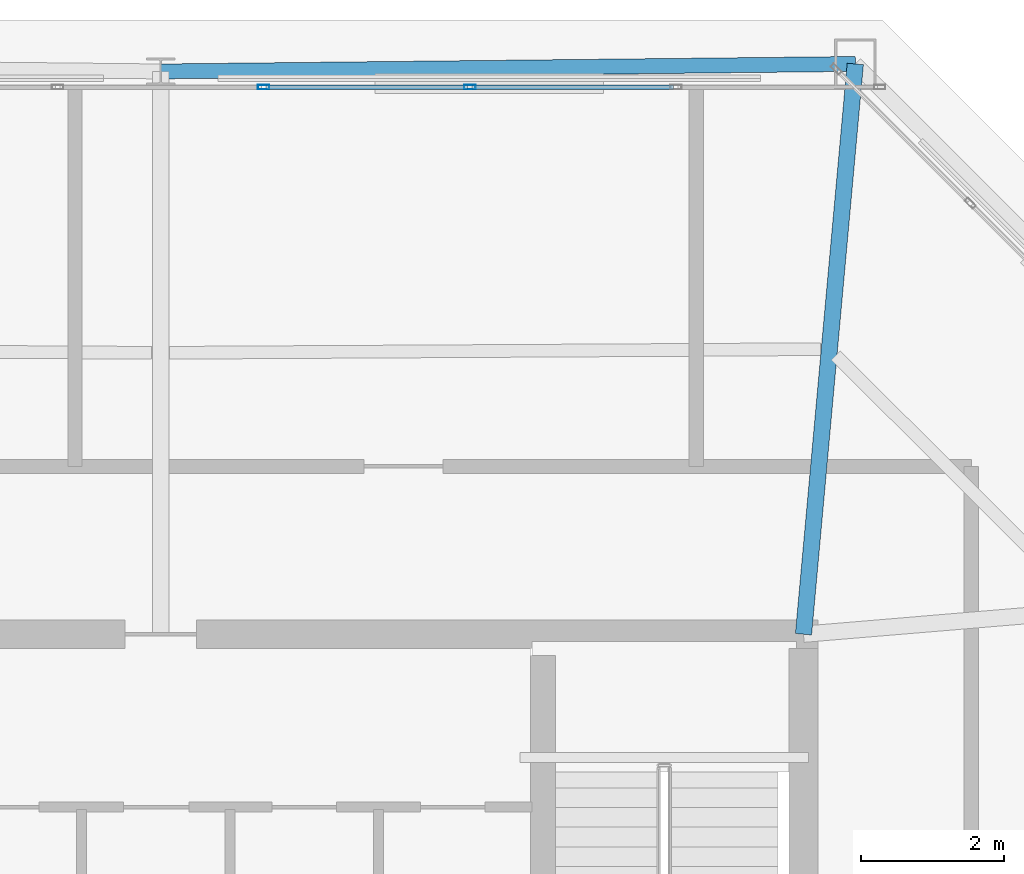
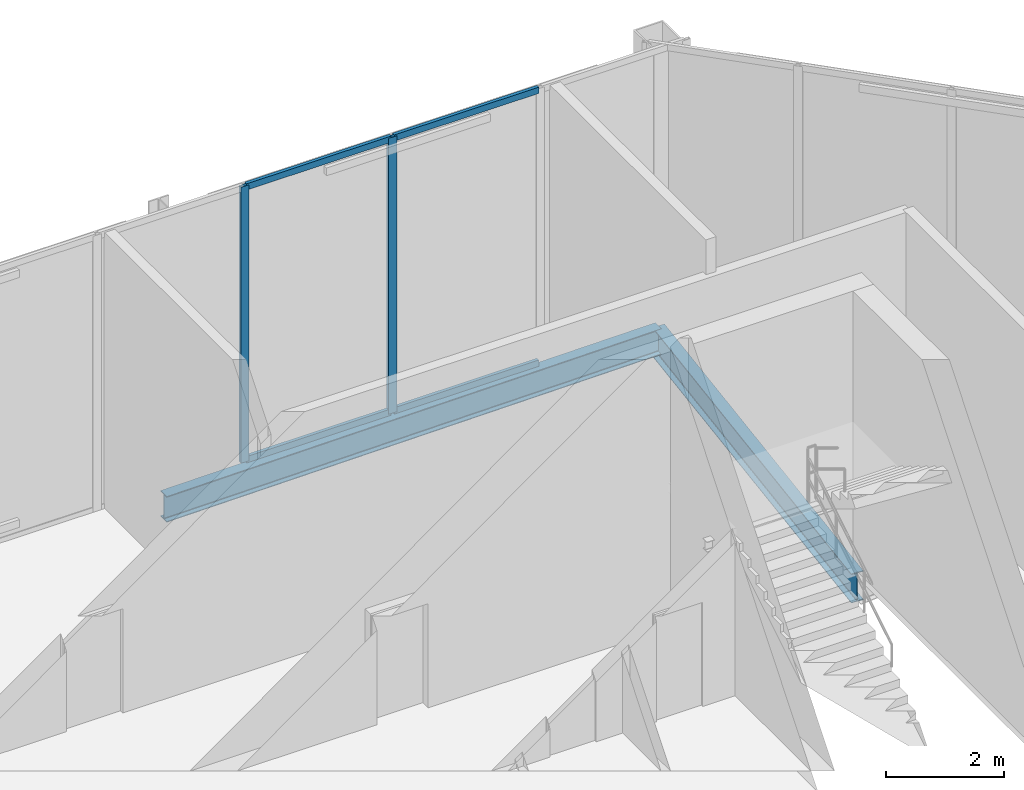
# One storey, part 13 of 20: 6 members, 2 beams, 1 element without a shape of its own.
"""IFC4 building model written with IfcOpenShell, lengths in metres."""

from ifc_helpers import new_model, si_unit, direction, frame, origin, origin_2d, place, context, subcontext, project, spatial, hollow_rectangle, i_section, extrude, material, layer, layer_set, material_profile, profile_set, type_object, element, aggregate, save


model = new_model("IFC4")

# Units and contexts
model_context = context("Model", 3, precision=1e-05, world=origin(), true_north=direction((0.0, 1.0)))
body_context = subcontext(model_context, "Body", "Model", "MODEL_VIEW")
ifc_project = project(units=[si_unit("LENGTHUNIT", "METRE"), si_unit("AREAUNIT", "SQUARE_METRE"), si_unit("VOLUMEUNIT", "CUBIC_METRE"), si_unit("PLANEANGLEUNIT", "RADIAN"), si_unit("MASSUNIT", "GRAM", prefix="KILO")], contexts=[model_context])

# Site, building, storey
site_placement = place(None, origin())
site = spatial("IfcSite", under=ifc_project, at=site_placement, CompositionType="ELEMENT")
building_placement = place(site_placement, origin())
building = spatial("IfcBuilding", under=site, at=building_placement, Name="Caelvoria Tower", CompositionType="ELEMENT")
storey_placement = place(building_placement, frame((0.0, 0.0, 284.199951171875)))
storey = spatial("IfcBuildingStorey", under=building, at=storey_placement, Name="C1", CompositionType="ELEMENT", Elevation=284.199951171875)

# Curtain wall, members
ifc_material_1 = material(Name="Anodised Bronze Aluminium and Low-E Glass", Category="aluminium")
ifc_layer = layer(ifc_material_1, 0.179931640625, Name="Anodised Bronze Aluminium and Low-E Glass")
ifc_layer_set = layer_set([ifc_layer], Name="CW System 6 Slanted Crown Bronze Screen Facade - Anodised Bronze Aluminium and Low-E Glass")
curtain_wall_type = type_object("IfcCurtainWallType", Name="CW System 6 Slanted Crown Bronze Screen Facade", PredefinedType="NOTDEFINED", material=ifc_layer_set)
curtain_wall_placement = place(storey_placement, origin())
curtain_wall = element("IfcCurtainWall", 1, at=curtain_wall_placement, inside=storey, type_object=curtain_wall_type, Name="CW-06 Curtain Wall C1-E4", PredefinedType="NOTDEFINED")
ifc_material_2 = material(Name="Anodised Bronze Architectural Aluminium", Category="aluminium")
ifc_material_profile_1 = material_profile(ifc_material_2, hollow_rectangle(XDim=0.06494140625, YDim=0.159912109375, WallThickness=0.00390625, at=origin_2d()), Name="Anodised Bronze Architectural Aluminium")
ifc_profile_set_1 = profile_set([ifc_material_profile_1], Name="CW_MULL_65X160 - Anodised Bronze Architectural Aluminium")
member_type_1 = type_object("IfcMemberType", Name="Curtain Wall Mullion 65x160 Bronze Aluminium", PredefinedType="MULLION", material=ifc_profile_set_1)
member_1_placement = place(storey_placement, frame((50.32861328125, 47.659912109375, 0.0), z_axis=(0.0, 0.0, 1.0), x_axis=(0.0, -1.0, 0.0)))
member_1 = element("IfcMember", 2, at=member_1_placement, type_object=member_type_1, Name="CW-06 mullion 3", PredefinedType="MULLION", context=body_context, shape_type="SweptSolid", body=[
    extrude(hollow_rectangle(XDim=0.06494140625, YDim=0.159912109375, WallThickness=0.00390625, at=origin_2d()), origin(), (0.0, 0.0, 1.0), 5.699951171875),
])
member_2_placement = place(storey_placement, frame((47.44287109375, 47.659912109375, 0.0), z_axis=(0.0, 0.0, 1.0), x_axis=(0.0, -1.0, 0.0)))
member_2 = element("IfcMember", 3, at=member_2_placement, type_object=member_type_1, Name="CW-06 mullion 4", PredefinedType="MULLION", context=body_context, shape_type="SweptSolid", body=[
    extrude(hollow_rectangle(XDim=0.06494140625, YDim=0.159912109375, WallThickness=0.00390625, at=origin_2d()), origin(), (0.0, 0.0, 1.0), 5.699951171875),
])
ifc_material_profile_2 = material_profile(ifc_material_2, hollow_rectangle(XDim=0.06494140625, YDim=0.1298828125, WallThickness=0.00341796875, at=origin_2d()), Name="Anodised Bronze Architectural Aluminium")
ifc_profile_set_2 = profile_set([ifc_material_profile_2], Name="CW_TRAN_65X130 - Anodised Bronze Architectural Aluminium")
member_type_2 = type_object("IfcMemberType", Name="Curtain Wall Transom 65x130 Bronze Aluminium", PredefinedType="USERDEFINED", material=ifc_profile_set_2)
member_3_placement = place(storey_placement, frame((53.181884765625, 47.659912109375, 0.032470703125), z_axis=(-1.0, 0.0, 0.0), x_axis=(0.0, -1.0, 0.0)))
member_3 = element("IfcMember", 4, at=member_3_placement, type_object=member_type_2, Name="CW-06 transom 2.1", ObjectType="TRANSOM", PredefinedType="USERDEFINED", context=body_context, shape_type="SweptSolid", body=[
    extrude(hollow_rectangle(XDim=0.06494140625, YDim=0.1298828125, WallThickness=0.00341796875, at=origin_2d()), origin(), (0.0, 0.0, 1.0), 2.82080078125),
])
member_4_placement = place(storey_placement, frame((53.181884765625, 47.659912109375, 5.66748046875), z_axis=(-1.0, 0.0, 0.0), x_axis=(0.0, -1.0, 0.0)))
member_4 = element("IfcMember", 5, at=member_4_placement, type_object=member_type_2, Name="CW-06 transom 2.2", ObjectType="TRANSOM", PredefinedType="USERDEFINED", context=body_context, shape_type="SweptSolid", body=[
    extrude(hollow_rectangle(XDim=0.06494140625, YDim=0.1298828125, WallThickness=0.00341796875, at=origin_2d()), origin(), (0.0, 0.0, 1.0), 2.82080078125),
])
member_5_placement = place(storey_placement, frame((50.296142578125, 47.659912109375, 0.032470703125), z_axis=(-1.0, 0.0, 0.0), x_axis=(0.0, -1.0, 0.0)))
member_5 = element("IfcMember", 6, at=member_5_placement, type_object=member_type_2, Name="CW-06 transom 3.1", ObjectType="TRANSOM", PredefinedType="USERDEFINED", context=body_context, shape_type="SweptSolid", body=[
    extrude(hollow_rectangle(XDim=0.06494140625, YDim=0.1298828125, WallThickness=0.00341796875, at=origin_2d()), origin(), (0.0, 0.0, 1.0), 2.82080078125),
])
member_6_placement = place(storey_placement, frame((50.296142578125, 47.659912109375, 5.66748046875), z_axis=(-1.0, 0.0, 0.0), x_axis=(0.0, -1.0, 0.0)))
member_6 = element("IfcMember", 7, at=member_6_placement, type_object=member_type_2, Name="CW-06 transom 3.2", ObjectType="TRANSOM", PredefinedType="USERDEFINED", context=body_context, shape_type="SweptSolid", body=[
    extrude(hollow_rectangle(XDim=0.06494140625, YDim=0.1298828125, WallThickness=0.00341796875, at=origin_2d()), origin(), (0.0, 0.0, 1.0), 2.82080078125),
])
aggregate(curtain_wall, [member_1, member_2, member_3, member_4, member_5, member_6])

# Beams
ifc_material_3 = material(Name="Structural Steel ASTM A992 Gr.50", Category="steel")
ifc_material_profile_3 = material_profile(ifc_material_3, i_section(OverallWidth=0.22802734375, OverallDepth=0.60302734375, WebThickness=0.010498046875, FlangeThickness=0.014892578125, FilletRadius=0.01806640625, at=origin_2d()), Name="Structural Steel ASTM A992 Gr.50")
ifc_profile_set_3 = profile_set([ifc_material_profile_3], Name="W610X101 - Structural Steel ASTM A992 Gr.50")
beam_type_1 = type_object("IfcBeamType", Name="Primary Floor Girder W610X101", PredefinedType="BEAM", material=ifc_profile_set_3)
beam_1_placement = place(storey_placement, frame((55.0, 40.0, -0.6015625), z_axis=(0.090527509595, 0.995893955201, 0.0), x_axis=(-0.995893955201, 0.090527509595, 0.0)))
element("IfcBeam", 8, at=beam_1_placement, inside=storey, type_object=beam_type_1, Name="Primary Floor Girder C1-06", PredefinedType="BEAM", context=body_context, shape_type="SweptSolid", body=[
    extrude(i_section(OverallWidth=0.22802734375, OverallDepth=0.60302734375, WebThickness=0.010498046875, FlangeThickness=0.014892578125, FilletRadius=0.01806640625, at=origin_2d()), origin(), (0.0, 0.0, 1.0), 8.017822265625),
])
ifc_material_profile_4 = material_profile(ifc_material_3, i_section(OverallWidth=0.208984375, OverallDepth=0.532958984375, WebThickness=0.01025390625, FlangeThickness=0.015625, FilletRadius=0.01611328125, at=origin_2d()), Name="Structural Steel ASTM A992 Gr.50")
ifc_profile_set_4 = profile_set([ifc_material_profile_4], Name="W530X92 - Structural Steel ASTM A992 Gr.50")
beam_type_2 = type_object("IfcBeamType", Name="Upper Zone Spandrel W530X92", PredefinedType="BEAM", material=ifc_profile_set_4)
beam_2_placement = place(storey_placement, frame((55.725830078125, 47.98486328125, -0.56640625), z_axis=(-0.999941750029, -0.010793356742, 0.0), x_axis=(0.010793356742, -0.999941750029, 0.0)))
element("IfcBeam", 9, at=beam_2_placement, inside=storey, type_object=beam_type_2, Name="Perimeter Spandrel Girder C1-06", PredefinedType="BEAM", context=body_context, shape_type="SweptSolid", body=[
    extrude(i_section(OverallWidth=0.208984375, OverallDepth=0.532958984375, WebThickness=0.01025390625, FlangeThickness=0.015625, FilletRadius=0.01611328125, at=origin_2d()), origin(), (0.0, 0.0, 1.0), 9.726318359375),
])

save(model, "model.ifc")
